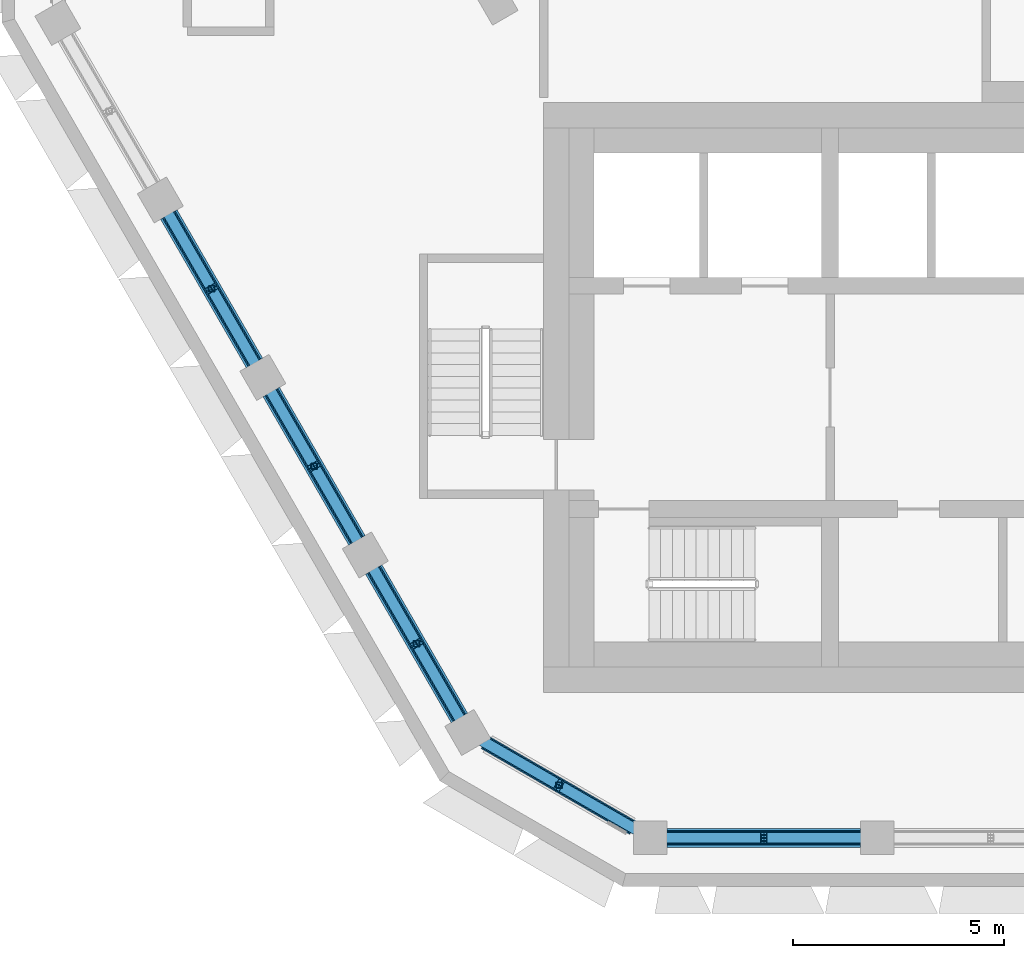
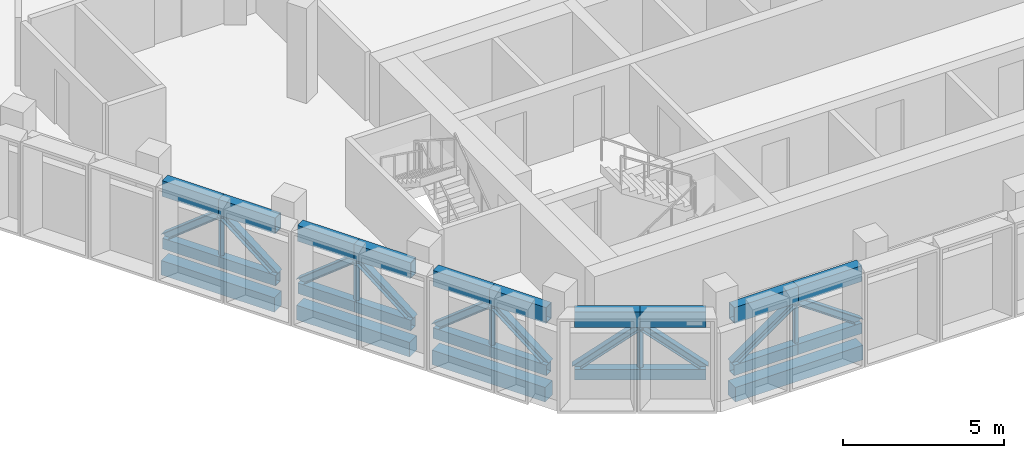
# One storey, part 2 of 24: 35 members, 4 beams.
"""IFC4 building model written with IfcOpenShell, lengths in metres."""

from ifc_helpers import new_model, si_unit, direction, frame, origin, origin_2d, place, context, subcontext, project, spatial, rectangle, hollow_rectangle, i_section, extrude, material, material_profile, profile_set, type_object, element, save


model = new_model("IFC4")

# Units and contexts
model_context = context("Model", 3, precision=1e-05, world=origin(), true_north=direction((0.0, 1.0)))
body_context = subcontext(model_context, "Body", "Model", "MODEL_VIEW")
ifc_project = project(units=[si_unit("LENGTHUNIT", "METRE"), si_unit("AREAUNIT", "SQUARE_METRE"), si_unit("VOLUMEUNIT", "CUBIC_METRE"), si_unit("PLANEANGLEUNIT", "RADIAN"), si_unit("MASSUNIT", "GRAM", prefix="KILO")], contexts=[model_context])

# Site, building, storey
site_placement = place(None, origin())
site = spatial("IfcSite", under=ifc_project, at=site_placement, CompositionType="ELEMENT")
building_placement = place(site_placement, origin())
building = spatial("IfcBuilding", under=site, at=building_placement, Name="Beryl Residences", CompositionType="ELEMENT")
storey_placement = place(building_placement, frame((0.0, 0.0, 199.199951171875)))
storey = spatial("IfcBuildingStorey", under=building, at=storey_placement, Name="L61", CompositionType="ELEMENT", Elevation=199.199951171875)

# Members
ifc_material_1 = material(Name="Steel S355", Category="steel")
ifc_material_profile_1 = material_profile(ifc_material_1, hollow_rectangle(XDim=0.300048828125, YDim=0.39990234375, WallThickness=0.02001953125, at=origin_2d()))
ifc_profile_set_1 = profile_set([ifc_material_profile_1], Name="Steel S355")
member_type_1 = type_object("IfcMemberType", Name="BB4 belt truss bottom chord WB 400x300x20", PredefinedType="CHORD", material=ifc_profile_set_1)
for number, where, z_axis, x_axis, name in (
    (1, (-22.194091796875, -7.657958984375, 0.199951171875), (0.499989360119, -0.866031546636, 0.0), (0.866031546636, 0.499989360119, 0.0), "Belt truss BB4-SW-1a L61"),
    (2, (-21.177978515625, -9.41796875, 0.199951171875), (0.499899251727, -0.866083563014, 0.0), (0.866083563014, 0.499899251727, 0.0), "Belt truss BB4-SW-1b L61"),
):
    element("IfcMember", number, at=place(storey_placement, frame(where, z_axis=z_axis, x_axis=x_axis)), inside=storey, type_object=member_type_1, Name=name, PredefinedType="CHORD", context=body_context, shape_type="SweptSolid", body=[
        extrude(hollow_rectangle(XDim=0.300048828125, YDim=0.39990234375, WallThickness=0.02001953125, at=origin_2d()), origin(), (0.0, 0.0, 1.0), 2.0322265625),
    ])
member_1_placement = place(storey_placement, frame((-19.761962890625, -11.8701171875, 0.199951171875), z_axis=(0.499951271052, -0.866053535628, 0.0), x_axis=(0.866053535628, 0.499951271052, 0.0)))
element("IfcMember", 3, at=member_1_placement, inside=storey, type_object=member_type_1, Name="Belt truss BB4-SW-2a L61", PredefinedType="CHORD", context=body_context, shape_type="SweptSolid", body=[
    extrude(hollow_rectangle(XDim=0.300048828125, YDim=0.39990234375, WallThickness=0.02001953125, at=origin_2d()), origin(), (0.0, 0.0, 1.0), 2.031982421875),
])
member_2_placement = place(storey_placement, frame((-18.74609375, -13.6298828125, 0.199951171875), z_axis=(0.499989360119, -0.866031546636, 0.0), x_axis=(0.866031546636, 0.499989360119, 0.0)))
element("IfcMember", 4, at=member_2_placement, inside=storey, type_object=member_type_1, Name="Belt truss BB4-SW-2b L61", PredefinedType="CHORD", context=body_context, shape_type="SweptSolid", body=[
    extrude(hollow_rectangle(XDim=0.300048828125, YDim=0.39990234375, WallThickness=0.02001953125, at=origin_2d()), origin(), (0.0, 0.0, 1.0), 2.0322265625),
])
member_3_placement = place(storey_placement, frame((-17.330078125, -16.08203125, 0.199951171875), z_axis=(0.499781360494, -0.866151598569, 0.0), x_axis=(0.866151598569, 0.499781360494, 0.0)))
element("IfcMember", 5, at=member_3_placement, inside=storey, type_object=member_type_1, Name="Belt truss BB4-SW-3a L61", PredefinedType="CHORD", context=body_context, shape_type="SweptSolid", body=[
    extrude(hollow_rectangle(XDim=0.300048828125, YDim=0.39990234375, WallThickness=0.02001953125, at=origin_2d()), origin(), (0.0, 0.0, 1.0), 2.033203125),
])
member_4_placement = place(storey_placement, frame((-16.31396484375, -17.843017578125, 0.199951171875), z_axis=(0.499899251727, -0.866083563014, 0.0), x_axis=(0.866083563014, 0.499899251727, 0.0)))
element("IfcMember", 6, at=member_4_placement, inside=storey, type_object=member_type_1, Name="Belt truss BB4-SW-3b L61", PredefinedType="CHORD", context=body_context, shape_type="SweptSolid", body=[
    extrude(hollow_rectangle(XDim=0.300048828125, YDim=0.39990234375, WallThickness=0.02001953125, at=origin_2d()), origin(), (0.0, 0.0, 1.0), 2.0322265625),
])
member_5_placement = place(storey_placement, frame((-14.697998046875, -20.179931640625, 0.199951171875), z_axis=(0.86580050412, -0.500389335484, 0.0), x_axis=(0.500389335484, 0.86580050412, 0.0)))
element("IfcMember", 7, at=member_5_placement, inside=storey, type_object=member_type_1, Name="Belt truss BB4-SW-4a L61", PredefinedType="CHORD", context=body_context, shape_type="SweptSolid", body=[
    extrude(hollow_rectangle(XDim=0.300048828125, YDim=0.39990234375, WallThickness=0.02001953125, at=origin_2d()), origin(), (0.0, 0.0, 1.0), 2.038330078125),
])
member_6_placement = place(storey_placement, frame((-12.93310546875, -21.199951171875, 0.199951171875), z_axis=(0.86615767771, -0.499770824822, 0.0), x_axis=(0.499770824822, 0.86615767771, 0.0)))
element("IfcMember", 8, at=member_6_placement, inside=storey, type_object=member_type_1, Name="Belt truss BB4-SW-4b L61", PredefinedType="CHORD", context=body_context, shape_type="SweptSolid", body=[
    extrude(hollow_rectangle(XDim=0.300048828125, YDim=0.39990234375, WallThickness=0.02001953125, at=origin_2d()), origin(), (0.0, 0.0, 1.0), 2.0390625),
])
for number, where, z_axis, x_axis, name in (
    (9, (-10.366943359375, -22.449951171875, 0.199951171875), (1.0, 0.0, 0.0), (0.0, 1.0, 0.0), "Belt truss BB4-S-0a L61"),
    (10, (-8.074951171875, -22.449951171875, 0.199951171875), (1.0, 0.0, 0.0), (0.0, 1.0, 0.0), "Belt truss BB4-S-0b L61"),
):
    element("IfcMember", number, at=place(storey_placement, frame(where, z_axis=z_axis, x_axis=x_axis)), inside=storey, type_object=member_type_1, Name=name, PredefinedType="CHORD", context=body_context, shape_type="SweptSolid", body=[
        extrude(hollow_rectangle(XDim=0.300048828125, YDim=0.39990234375, WallThickness=0.02001953125, at=origin_2d()), origin(), (0.0, 0.0, 1.0), 2.2919921875),
    ])
ifc_material_2 = material(Name="Steel S355", Category="steel")
ifc_material_profile_2 = material_profile(ifc_material_2, i_section(OverallWidth=0.25390625, OverallDepth=0.25390625, WebThickness=0.008544921875, FlangeThickness=0.01416015625, FilletRadius=0.013916015625, at=origin_2d()))
ifc_profile_set_2 = profile_set([ifc_material_profile_2], Name="Steel S355")
member_type_2 = type_object("IfcMemberType", Name="BD4 belt truss diagonal 250UC73", PredefinedType="BRACE", material=ifc_profile_set_2)
for number, where, z_axis, x_axis, name in (
    (11, (-22.194091796875, -7.657958984375, 0.400146484375), (0.392862313532, -0.68047679439, 0.618555199561), (0.866031546636, 0.499989360119, 0.0), "Belt truss BD4-SW-1a L61"),
    (12, (-20.162109375, -11.177978515625, 0.400146484375), (-0.392782485057, 0.680502027103, 0.618578136164), (-0.866083563014, -0.499899251727, 0.0), "Belt truss BD4-SW-1b L61"),
):
    element("IfcMember", number, at=place(storey_placement, frame(where, z_axis=z_axis, x_axis=x_axis)), inside=storey, type_object=member_type_2, Name=name, PredefinedType="BRACE", context=body_context, shape_type="SweptSolid", body=[
        extrude(i_section(OverallWidth=0.25390625, OverallDepth=0.25390625, WebThickness=0.008544921875, FlangeThickness=0.01416015625, FilletRadius=0.013916015625, at=origin_2d()), origin(), (0.0, 0.0, 1.0), 2.58642578125),
    ])
member_7_placement = place(storey_placement, frame((-19.761962890625, -11.8701171875, 0.400146484375), z_axis=(0.392807716824, -0.680451339309, 0.61861787271), x_axis=(0.866053535628, 0.499951271052, 0.0)))
element("IfcMember", 13, at=member_7_placement, inside=storey, type_object=member_type_2, Name="Belt truss BD4-SW-2a L61", PredefinedType="BRACE", context=body_context, shape_type="SweptSolid", body=[
    extrude(i_section(OverallWidth=0.25390625, OverallDepth=0.25390625, WebThickness=0.008544921875, FlangeThickness=0.01416015625, FilletRadius=0.013916015625, at=origin_2d()), origin(), (0.0, 0.0, 1.0), 2.586181640625),
])
member_8_placement = place(storey_placement, frame((-17.72998046875, -15.389892578125, 0.400146484375), z_axis=(-0.392862313532, 0.68047679439, 0.618555199561), x_axis=(-0.866031546636, -0.499989360119, 0.0)))
element("IfcMember", 14, at=member_8_placement, inside=storey, type_object=member_type_2, Name="Belt truss BD4-SW-2b L61", PredefinedType="BRACE", context=body_context, shape_type="SweptSolid", body=[
    extrude(i_section(OverallWidth=0.25390625, OverallDepth=0.25390625, WebThickness=0.008544921875, FlangeThickness=0.01416015625, FilletRadius=0.013916015625, at=origin_2d()), origin(), (0.0, 0.0, 1.0), 2.58642578125),
])
member_9_placement = place(storey_placement, frame((-17.330078125, -16.08203125, 0.400146484375), z_axis=(0.392761387066, -0.680679453366, 0.618396292514), x_axis=(0.866151598569, 0.499781360494, 0.0)))
element("IfcMember", 15, at=member_9_placement, inside=storey, type_object=member_type_2, Name="Belt truss BD4-SW-3a L61", PredefinedType="BRACE", context=body_context, shape_type="SweptSolid", body=[
    extrude(i_section(OverallWidth=0.25390625, OverallDepth=0.25390625, WebThickness=0.008544921875, FlangeThickness=0.01416015625, FilletRadius=0.013916015625, at=origin_2d()), origin(), (0.0, 0.0, 1.0), 2.587158203125),
])
member_10_placement = place(storey_placement, frame((-15.298095703125, -19.60302734375, 0.400146484375), z_axis=(-0.392782485057, 0.680502027103, 0.618578136164), x_axis=(-0.866083563014, -0.499899251727, 0.0)))
element("IfcMember", 16, at=member_10_placement, inside=storey, type_object=member_type_2, Name="Belt truss BD4-SW-3b L61", PredefinedType="BRACE", context=body_context, shape_type="SweptSolid", body=[
    extrude(i_section(OverallWidth=0.25390625, OverallDepth=0.25390625, WebThickness=0.008544921875, FlangeThickness=0.01416015625, FilletRadius=0.013916015625, at=origin_2d()), origin(), (0.0, 0.0, 1.0), 2.58642578125),
])
member_11_placement = place(storey_placement, frame((-14.697998046875, -20.179931640625, 0.400146484375), z_axis=(0.6810848006, -0.393632908688, 0.617395033661), x_axis=(0.500389335484, 0.86580050412, 0.0)))
element("IfcMember", 17, at=member_11_placement, inside=storey, type_object=member_type_2, Name="Belt truss BD4-SW-4a L61", PredefinedType="BRACE", context=body_context, shape_type="SweptSolid", body=[
    extrude(i_section(OverallWidth=0.25390625, OverallDepth=0.25390625, WebThickness=0.008544921875, FlangeThickness=0.01416015625, FilletRadius=0.013916015625, at=origin_2d()), origin(), (0.0, 0.0, 1.0), 2.59130859375),
])
member_12_placement = place(storey_placement, frame((-11.1669921875, -22.218994140625, 0.400146484375), z_axis=(-0.681438217721, 0.393188156037, 0.617288449091), x_axis=(-0.499770824822, -0.86615767771, 0.0)))
element("IfcMember", 18, at=member_12_placement, inside=storey, type_object=member_type_2, Name="Belt truss BD4-SW-4b L61", PredefinedType="BRACE", context=body_context, shape_type="SweptSolid", body=[
    extrude(i_section(OverallWidth=0.25390625, OverallDepth=0.25390625, WebThickness=0.008544921875, FlangeThickness=0.01416015625, FilletRadius=0.013916015625, at=origin_2d()), origin(), (0.0, 0.0, 1.0), 2.591796875),
])
for number, where, z_axis, x_axis, name in (
    (19, (-10.366943359375, -22.449951171875, 0.400146484375), (0.81999443742, 0.0, 0.572371490031), (0.0, 1.0, 0.0), "Belt truss BD4-S-0a L61"),
    (20, (-5.782958984375, -22.449951171875, 0.400146484375), (-0.81999443742, 0.0, 0.572371490031), (0.0, -1.0, 0.0), "Belt truss BD4-S-0b L61"),
):
    element("IfcMember", number, at=place(storey_placement, frame(where, z_axis=z_axis, x_axis=x_axis)), inside=storey, type_object=member_type_2, Name=name, PredefinedType="BRACE", context=body_context, shape_type="SweptSolid", body=[
        extrude(i_section(OverallWidth=0.25390625, OverallDepth=0.25390625, WebThickness=0.008544921875, FlangeThickness=0.01416015625, FilletRadius=0.013916015625, at=origin_2d()), origin(), (0.0, 0.0, 1.0), 2.795166015625),
    ])
ifc_material_3 = material(Name="Steel S355", Category="steel")
ifc_material_profile_3 = material_profile(ifc_material_3, hollow_rectangle(XDim=0.14990234375, YDim=0.14990234375, WallThickness=0.009033203125, InnerFilletRadius=0.009033203125, OuterFilletRadius=0.01806640625, at=origin_2d()))
ifc_profile_set_3 = profile_set([ifc_material_profile_3], Name="Steel S355")
member_type_3 = type_object("IfcMemberType", Name="BQ4 belt truss post SHS 150x150x9", PredefinedType="POST", material=ifc_profile_set_3)
for number, where, z_axis, x_axis, name in (
    (21, (-21.177978515625, -9.41796875, 0.400146484375), (0.0, 0.0, 1.0), (1.0, 0.0, 0.0), "Belt truss BQ4-SW-1 L61"),
    (22, (-18.74609375, -13.6298828125, 0.400146484375), (0.0, 0.0, 1.0), (1.0, 0.0, 0.0), "Belt truss BQ4-SW-2 L61"),
    (23, (-16.31396484375, -17.843017578125, 0.400146484375), (0.0, 0.0, 1.0), (1.0, 0.0, 0.0), "Belt truss BQ4-SW-3 L61"),
    (24, (-12.93310546875, -21.199951171875, 0.400146484375), (0.0, 0.0, 1.0), (1.0, 0.0, 0.0), "Belt truss BQ4-SW-4 L61"),
    (25, (-8.074951171875, -22.449951171875, 0.400146484375), (0.0, 0.0, 1.0), (1.0, 0.0, 0.0), "Belt truss BQ4-S-0 L61"),
):
    element("IfcMember", number, at=place(storey_placement, frame(where, z_axis=z_axis, x_axis=x_axis)), inside=storey, type_object=member_type_3, Name=name, PredefinedType="POST", context=body_context, shape_type="SweptSolid", body=[
        extrude(hollow_rectangle(XDim=0.14990234375, YDim=0.14990234375, WallThickness=0.009033203125, InnerFilletRadius=0.009033203125, OuterFilletRadius=0.01806640625, at=origin_2d()), origin(), (0.0, 0.0, 1.0), 1.599853515625),
    ])
ifc_material_4 = material(Name="Steel S355", Category="steel")
ifc_material_profile_4 = material_profile(ifc_material_4, hollow_rectangle(XDim=0.35009765625, YDim=0.60009765625, WallThickness=0.02490234375, at=origin_2d()))
ifc_profile_set_4 = profile_set([ifc_material_profile_4], Name="Steel S355")
member_type_4 = type_object("IfcMemberType", Name="BT4 belt truss top chord WB 600x350x25", PredefinedType="CHORD", material=ifc_profile_set_4)
for number, where, z_axis, x_axis, name in (
    (26, (-22.194091796875, -7.657958984375, 2.300048828125), (0.499989360119, -0.866031546636, 0.0), (0.866031546636, 0.499989360119, 0.0), "Belt truss BT4-SW-1a L61"),
    (27, (-21.177978515625, -9.41796875, 2.300048828125), (0.499899251727, -0.866083563014, 0.0), (0.866083563014, 0.499899251727, 0.0), "Belt truss BT4-SW-1b L61"),
):
    element("IfcMember", number, at=place(storey_placement, frame(where, z_axis=z_axis, x_axis=x_axis)), inside=storey, type_object=member_type_4, Name=name, PredefinedType="CHORD", context=body_context, shape_type="SweptSolid", body=[
        extrude(hollow_rectangle(XDim=0.35009765625, YDim=0.60009765625, WallThickness=0.02490234375, at=origin_2d()), origin(), (0.0, 0.0, 1.0), 2.0322265625),
    ])
member_13_placement = place(storey_placement, frame((-19.761962890625, -11.8701171875, 2.300048828125), z_axis=(0.499951271052, -0.866053535628, 0.0), x_axis=(0.866053535628, 0.499951271052, 0.0)))
element("IfcMember", 28, at=member_13_placement, inside=storey, type_object=member_type_4, Name="Belt truss BT4-SW-2a L61", PredefinedType="CHORD", context=body_context, shape_type="SweptSolid", body=[
    extrude(hollow_rectangle(XDim=0.35009765625, YDim=0.60009765625, WallThickness=0.02490234375, at=origin_2d()), origin(), (0.0, 0.0, 1.0), 2.031982421875),
])
member_14_placement = place(storey_placement, frame((-18.74609375, -13.6298828125, 2.300048828125), z_axis=(0.499989360119, -0.866031546636, 0.0), x_axis=(0.866031546636, 0.499989360119, 0.0)))
element("IfcMember", 29, at=member_14_placement, inside=storey, type_object=member_type_4, Name="Belt truss BT4-SW-2b L61", PredefinedType="CHORD", context=body_context, shape_type="SweptSolid", body=[
    extrude(hollow_rectangle(XDim=0.35009765625, YDim=0.60009765625, WallThickness=0.02490234375, at=origin_2d()), origin(), (0.0, 0.0, 1.0), 2.0322265625),
])
member_15_placement = place(storey_placement, frame((-17.330078125, -16.08203125, 2.300048828125), z_axis=(0.499781360494, -0.866151598569, 0.0), x_axis=(0.866151598569, 0.499781360494, 0.0)))
element("IfcMember", 30, at=member_15_placement, inside=storey, type_object=member_type_4, Name="Belt truss BT4-SW-3a L61", PredefinedType="CHORD", context=body_context, shape_type="SweptSolid", body=[
    extrude(hollow_rectangle(XDim=0.35009765625, YDim=0.60009765625, WallThickness=0.02490234375, at=origin_2d()), origin(), (0.0, 0.0, 1.0), 2.033203125),
])
member_16_placement = place(storey_placement, frame((-16.31396484375, -17.843017578125, 2.300048828125), z_axis=(0.499899251727, -0.866083563014, 0.0), x_axis=(0.866083563014, 0.499899251727, 0.0)))
element("IfcMember", 31, at=member_16_placement, inside=storey, type_object=member_type_4, Name="Belt truss BT4-SW-3b L61", PredefinedType="CHORD", context=body_context, shape_type="SweptSolid", body=[
    extrude(hollow_rectangle(XDim=0.35009765625, YDim=0.60009765625, WallThickness=0.02490234375, at=origin_2d()), origin(), (0.0, 0.0, 1.0), 2.0322265625),
])
member_17_placement = place(storey_placement, frame((-14.697998046875, -20.179931640625, 2.300048828125), z_axis=(0.86580050412, -0.500389335484, 0.0), x_axis=(0.500389335484, 0.86580050412, 0.0)))
element("IfcMember", 32, at=member_17_placement, inside=storey, type_object=member_type_4, Name="Belt truss BT4-SW-4a L61", PredefinedType="CHORD", context=body_context, shape_type="SweptSolid", body=[
    extrude(hollow_rectangle(XDim=0.35009765625, YDim=0.60009765625, WallThickness=0.02490234375, at=origin_2d()), origin(), (0.0, 0.0, 1.0), 2.038330078125),
])
member_18_placement = place(storey_placement, frame((-12.93310546875, -21.199951171875, 2.300048828125), z_axis=(0.86615767771, -0.499770824822, 0.0), x_axis=(0.499770824822, 0.86615767771, 0.0)))
element("IfcMember", 33, at=member_18_placement, inside=storey, type_object=member_type_4, Name="Belt truss BT4-SW-4b L61", PredefinedType="CHORD", context=body_context, shape_type="SweptSolid", body=[
    extrude(hollow_rectangle(XDim=0.35009765625, YDim=0.60009765625, WallThickness=0.02490234375, at=origin_2d()), origin(), (0.0, 0.0, 1.0), 2.0390625),
])
for number, where, z_axis, x_axis, name in (
    (34, (-10.366943359375, -22.449951171875, 2.300048828125), (1.0, 0.0, 0.0), (0.0, 1.0, 0.0), "Belt truss BT4-S-0a L61"),
    (35, (-8.074951171875, -22.449951171875, 2.300048828125), (1.0, 0.0, 0.0), (0.0, 1.0, 0.0), "Belt truss BT4-S-0b L61"),
):
    element("IfcMember", number, at=place(storey_placement, frame(where, z_axis=z_axis, x_axis=x_axis)), inside=storey, type_object=member_type_4, Name=name, PredefinedType="CHORD", context=body_context, shape_type="SweptSolid", body=[
        extrude(hollow_rectangle(XDim=0.35009765625, YDim=0.60009765625, WallThickness=0.02490234375, at=origin_2d()), origin(), (0.0, 0.0, 1.0), 2.2919921875),
    ])

# Beams
ifc_material_5 = material(Name="Concrete C50/60", Category="concrete")
ifc_material_profile_5 = material_profile(ifc_material_5, rectangle(XDim=0.449951171875, YDim=0.550048828125, at=origin_2d()))
ifc_profile_set_5 = profile_set([ifc_material_profile_5], Name="Concrete C50/60")
beam_type = type_object("IfcBeamType", Name="SB4 spandrel beam 450 x 550 C50/60", PredefinedType="SPANDREL", material=ifc_profile_set_5)
beam_1_placement = place(storey_placement, frame((-22.194091796875, -7.657958984375, -0.675048828125), z_axis=(0.499944307952, -0.866057555216, 0.0), x_axis=(0.866057555216, 0.499944307952, 0.0)))
element("IfcBeam", 36, at=beam_1_placement, inside=storey, type_object=beam_type, Name="SB4 L61 SW-1", PredefinedType="SPANDREL", context=body_context, shape_type="SweptSolid", body=[
    extrude(rectangle(XDim=0.449951171875, YDim=0.550048828125, at=origin_2d()), origin(), (0.0, 0.0, 1.0), 4.064453125),
])
beam_2_placement = place(storey_placement, frame((-19.761962890625, -11.8701171875, -0.675048828125), z_axis=(0.499970317269, -0.866042540439, 0.0), x_axis=(0.866042540439, 0.499970317269, 0.0)))
element("IfcBeam", 37, at=beam_2_placement, inside=storey, type_object=beam_type, Name="SB4 L61 SW-2", PredefinedType="SPANDREL", context=body_context, shape_type="SweptSolid", body=[
    extrude(rectangle(XDim=0.449951171875, YDim=0.550048828125, at=origin_2d()), origin(), (0.0, 0.0, 1.0), 4.064208984375),
])
beam_3_placement = place(storey_placement, frame((-17.330078125, -16.08203125, -0.675048828125), z_axis=(0.499840293234, -0.866117590896, 0.0), x_axis=(0.866117590896, 0.499840293234, 0.0)))
element("IfcBeam", 38, at=beam_3_placement, inside=storey, type_object=beam_type, Name="SB4 L61 SW-3", PredefinedType="SPANDREL", context=body_context, shape_type="SweptSolid", body=[
    extrude(rectangle(XDim=0.449951171875, YDim=0.550048828125, at=origin_2d()), origin(), (0.0, 0.0, 1.0), 4.065185546875),
])
beam_4_placement = place(storey_placement, frame((-10.366943359375, -22.449951171875, -0.675048828125), z_axis=(1.0, 0.0, 0.0), x_axis=(0.0, 1.0, 0.0)))
element("IfcBeam", 39, at=beam_4_placement, inside=storey, type_object=beam_type, Name="SB4 L61 S-0", PredefinedType="SPANDREL", context=body_context, shape_type="SweptSolid", body=[
    extrude(rectangle(XDim=0.449951171875, YDim=0.550048828125, at=origin_2d()), origin(), (0.0, 0.0, 1.0), 4.583984375),
])

save(model, "model.ifc")
